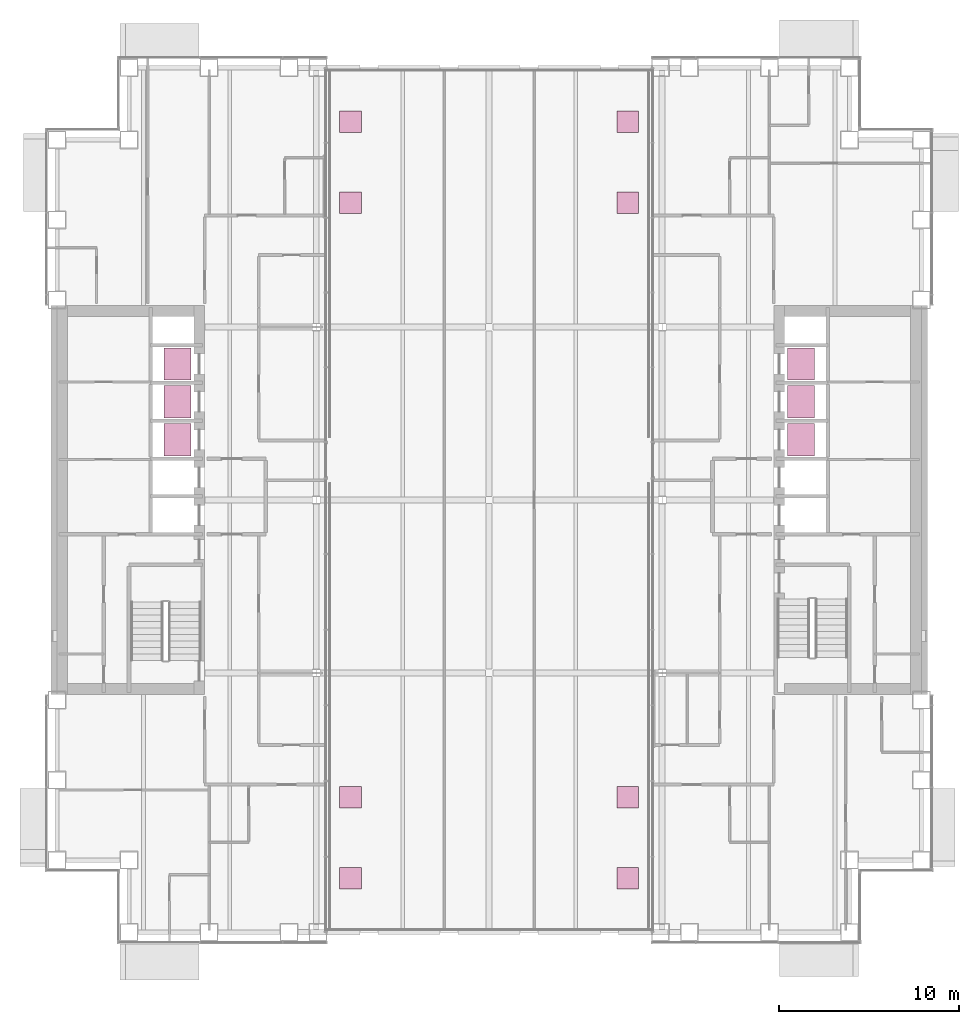
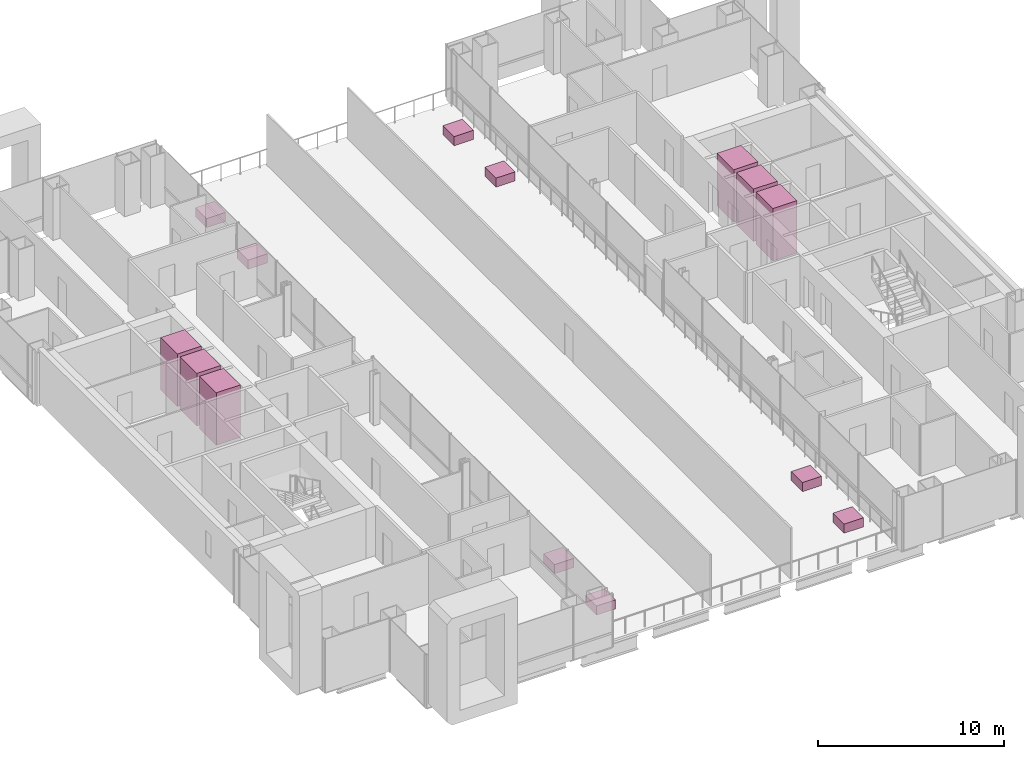
# One storey, part 24 of 24: 8 furniture elements, 6 transport elements.
"""IFC4 building model written with IfcOpenShell, lengths in metres."""

from ifc_helpers import new_model, si_unit, direction, frame, origin, origin_2d, place, context, subcontext, project, spatial, rectangle, extrude, material, type_object, element, save


model = new_model("IFC4")

# Units and contexts
model_context = context("Model", 3, precision=1e-05, world=origin(), true_north=direction((0.0, 1.0)))
body_context = subcontext(model_context, "Body", "Model", "MODEL_VIEW")
ifc_project = project(units=[si_unit("LENGTHUNIT", "METRE"), si_unit("AREAUNIT", "SQUARE_METRE"), si_unit("VOLUMEUNIT", "CUBIC_METRE"), si_unit("PLANEANGLEUNIT", "RADIAN"), si_unit("MASSUNIT", "GRAM", prefix="KILO")], contexts=[model_context])

# Site, building, storey
site_placement = place(None, origin())
site = spatial("IfcSite", under=ifc_project, at=site_placement, CompositionType="ELEMENT")
building_placement = place(site_placement, origin())
building = spatial("IfcBuilding", under=site, at=building_placement, Name="Cobrizo Arcos Hotel Tower", CompositionType="ELEMENT")
storey_placement = place(building_placement, frame((0.0, 0.0, 60.0)))
storey = spatial("IfcBuildingStorey", under=building, at=storey_placement, Name="L13", CompositionType="ELEMENT", Elevation=60.0)

# Transport elements
ifc_material = material(Name="Stainless steel car", Category="steel")
transport_element_type = type_object("IfcTransportElementType", Name="Lift car Low 1.8x1.5", PredefinedType="ELEVATOR", material=ifc_material)
for number, where, z_axis, x_axis, name in (
    (1, (-17.300048828125, 3.35009765625, 0.0), (0.0, 0.0, 1.0), (1.0, 0.0, 0.0), "Low-rise passenger lift W1"),
    (2, (-17.300048828125, 5.449951171875, 0.0), (0.0, 0.0, 1.0), (1.0, 0.0, 0.0), "Low-rise passenger lift W2"),
    (3, (-17.300048828125, 7.550048828125, 0.0), (0.0, 0.0, 1.0), (1.0, 0.0, 0.0), "Low-rise passenger lift W3"),
    (4, (17.300048828125, 3.35009765625, 0.0), (0.0, 0.0, 1.0), (1.0, 0.0, 0.0), "Low-rise passenger lift E1"),
    (5, (17.300048828125, 5.449951171875, 0.0), (0.0, 0.0, 1.0), (1.0, 0.0, 0.0), "Low-rise passenger lift E2"),
    (6, (17.300048828125, 7.550048828125, 0.0), (0.0, 0.0, 1.0), (1.0, 0.0, 0.0), "Low-rise passenger lift E3"),
):
    element("IfcTransportElement", number, at=place(storey_placement, frame(where, z_axis=z_axis, x_axis=x_axis)), inside=storey, type_object=transport_element_type, Name=name, PredefinedType="ELEVATOR", context=body_context, shape_type="SweptSolid", body=[
        extrude(rectangle(XDim=1.5, YDim=1.800048828125, at=origin_2d()), origin(), (0.0, 0.0, 1.0), 3.449951171875),
    ])

# Furniture
for number, where, z_axis, x_axis, name in (
    (7, (-7.699951171875, -21.0, 0.0), (0.0, 0.0, 1.0), (1.0, 0.0, 0.0), "Planter L13-1"),
    (8, (7.699951171875, -21.0, 0.0), (0.0, 0.0, 1.0), (1.0, 0.0, 0.0), "Planter L13-2"),
    (9, (-7.699951171875, -16.5, 0.0), (0.0, 0.0, 1.0), (1.0, 0.0, 0.0), "Planter L13-3"),
    (10, (7.699951171875, -16.5, 0.0), (0.0, 0.0, 1.0), (1.0, 0.0, 0.0), "Planter L13-4"),
    (11, (-7.699951171875, 16.5, 0.0), (0.0, 0.0, 1.0), (1.0, 0.0, 0.0), "Planter L13-5"),
    (12, (7.699951171875, 16.5, 0.0), (0.0, 0.0, 1.0), (1.0, 0.0, 0.0), "Planter L13-6"),
    (13, (-7.699951171875, 21.0, 0.0), (0.0, 0.0, 1.0), (1.0, 0.0, 0.0), "Planter L13-7"),
    (14, (7.699951171875, 21.0, 0.0), (0.0, 0.0, 1.0), (1.0, 0.0, 0.0), "Planter L13-8"),
):
    element("IfcFurniture", number, at=place(storey_placement, frame(where, z_axis=z_axis, x_axis=x_axis)), inside=storey, Name=name, ObjectType="PLANTER", PredefinedType="USERDEFINED", context=body_context, shape_type="SweptSolid", body=[
        extrude(rectangle(XDim=1.199951171875, YDim=1.199951171875, at=origin_2d()), origin(), (0.0, 0.0, 1.0), 0.60009765625),
    ])

save(model, "model.ifc")
